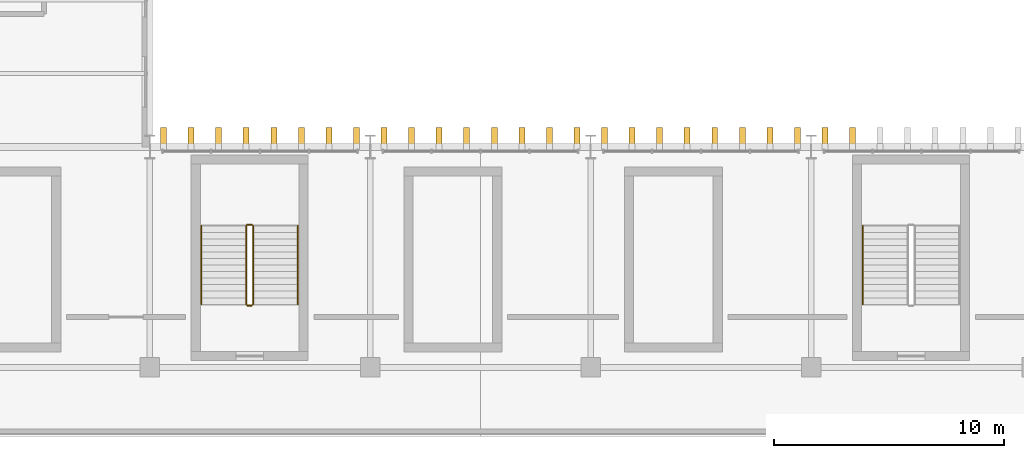
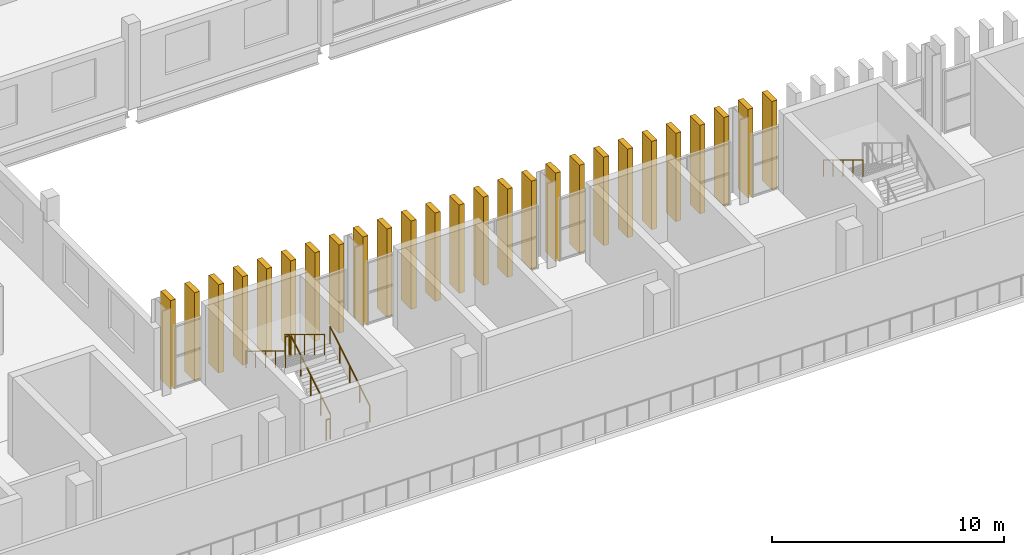
# One storey, part 82 of 92: 26 coverings, 7 railings.
"""IFC4 building model written with IfcOpenShell, lengths in metres."""

from ifc_helpers import new_model, si_unit, direction, frame, origin, origin_2d, place, context, subcontext, project, spatial, rectangle, circle, extrude, material, material_profile, profile_set, type_object, element, save


model = new_model("IFC4")

# Units and contexts
model_context = context("Model", 3, precision=1e-05, world=origin(), true_north=direction((0.0, 1.0)))
body_context = subcontext(model_context, "Body", "Model", "MODEL_VIEW")
ifc_project = project(units=[si_unit("LENGTHUNIT", "METRE"), si_unit("AREAUNIT", "SQUARE_METRE"), si_unit("VOLUMEUNIT", "CUBIC_METRE"), si_unit("PLANEANGLEUNIT", "RADIAN"), si_unit("MASSUNIT", "GRAM", prefix="KILO")], contexts=[model_context])

# Site, building, storey
site_placement = place(None, origin())
site = spatial("IfcSite", under=ifc_project, at=site_placement, CompositionType="ELEMENT")
building_placement = place(site_placement, origin())
building = spatial("IfcBuilding", under=site, at=building_placement, Name="Caelomonte Colonnade Arena", CompositionType="ELEMENT")
storey_placement = place(building_placement, frame((0.0, 0.0, 9.60009765625)))
storey = spatial("IfcBuildingStorey", under=building, at=storey_placement, Name="L02", CompositionType="ELEMENT", Elevation=9.60009765625)

# Coverings
ifc_material_1 = material(Name="Precast travertine cladding", Category="masonry")
ifc_material_profile = material_profile(ifc_material_1, rectangle(XDim=0.260009765625, YDim=0.85009765625, at=origin_2d()), Name="FIN260X850")
ifc_profile_set = profile_set([ifc_material_profile], Name="Precast travertine cladding")
covering_type = type_object("IfcCoveringType", Name="ENV-FN-SHAFT", PredefinedType="CLADDING", material=ifc_profile_set)
for number, where, z_axis, x_axis, name in (
    (1, (126.60009765625, 115.62109375, -0.16015625), (0.0, 0.0, 1.0), (1.0, 0.0, 0.0), "V1 L02 classical travertine vertical fin 106"),
    (2, (125.39990234375, 115.62109375, -0.16015625), (0.0, 0.0, 1.0), (1.0, 0.0, 0.0), "V1 L02 classical travertine vertical fin 107"),
    (3, (124.199951171875, 115.62109375, -0.16015625), (0.0, 0.0, 1.0), (1.0, 0.0, 0.0), "V1 L02 classical travertine vertical fin 108"),
    (4, (123.0, 115.62109375, -0.16015625), (0.0, 0.0, 1.0), (1.0, 0.0, 0.0), "V1 L02 classical travertine vertical fin 109"),
    (5, (121.800048828125, 115.62109375, -0.16015625), (0.0, 0.0, 1.0), (1.0, 0.0, 0.0), "V1 L02 classical travertine vertical fin 110"),
    (6, (120.60009765625, 115.62109375, -0.16015625), (0.0, 0.0, 1.0), (1.0, 0.0, 0.0), "V1 L02 classical travertine vertical fin 111"),
    (7, (119.39990234375, 115.62109375, -0.16015625), (0.0, 0.0, 1.0), (1.0, 0.0, 0.0), "V1 L02 classical travertine vertical fin 112"),
    (8, (118.199951171875, 115.62109375, -0.16015625), (0.0, 0.0, 1.0), (1.0, 0.0, 0.0), "V1 L02 classical travertine vertical fin 113"),
    (9, (117.0, 115.62109375, -0.16015625), (0.0, 0.0, 1.0), (1.0, 0.0, 0.0), "V1 L02 classical travertine vertical fin 114"),
    (10, (115.800048828125, 115.62109375, -0.16015625), (0.0, 0.0, 1.0), (1.0, 0.0, 0.0), "V1 L02 classical travertine vertical fin 115"),
    (11, (114.60009765625, 115.62109375, -0.16015625), (0.0, 0.0, 1.0), (1.0, 0.0, 0.0), "V1 L02 classical travertine vertical fin 116"),
    (12, (113.39990234375, 115.62109375, -0.16015625), (0.0, 0.0, 1.0), (1.0, 0.0, 0.0), "V1 L02 classical travertine vertical fin 117"),
    (13, (112.199951171875, 115.62109375, -0.16015625), (0.0, 0.0, 1.0), (1.0, 0.0, 0.0), "V1 L02 classical travertine vertical fin 118"),
    (14, (111.0, 115.62109375, -0.16015625), (0.0, 0.0, 1.0), (1.0, 0.0, 0.0), "V1 L02 classical travertine vertical fin 119"),
    (15, (109.800048828125, 115.62109375, -0.16015625), (0.0, 0.0, 1.0), (1.0, 0.0, 0.0), "V1 L02 classical travertine vertical fin 120"),
    (16, (108.60009765625, 115.62109375, -0.16015625), (0.0, 0.0, 1.0), (1.0, 0.0, 0.0), "V1 L02 classical travertine vertical fin 121"),
    (17, (107.39990234375, 115.62109375, -0.16015625), (0.0, 0.0, 1.0), (1.0, 0.0, 0.0), "V1 L02 classical travertine vertical fin 122"),
    (18, (106.199951171875, 115.62109375, -0.16015625), (0.0, 0.0, 1.0), (1.0, 0.0, 0.0), "V1 L02 classical travertine vertical fin 123"),
    (19, (105.0, 115.62109375, -0.16015625), (0.0, 0.0, 1.0), (1.0, 0.0, 0.0), "V1 L02 classical travertine vertical fin 124"),
    (20, (103.800048828125, 115.62109375, -0.16015625), (0.0, 0.0, 1.0), (1.0, 0.0, 0.0), "V1 L02 classical travertine vertical fin 125"),
    (21, (102.60009765625, 115.62109375, -0.16015625), (0.0, 0.0, 1.0), (1.0, 0.0, 0.0), "V1 L02 classical travertine vertical fin 126"),
    (22, (101.39990234375, 115.62109375, -0.16015625), (0.0, 0.0, 1.0), (1.0, 0.0, 0.0), "V1 L02 classical travertine vertical fin 127"),
    (23, (100.199951171875, 115.62109375, -0.16015625), (0.0, 0.0, 1.0), (1.0, 0.0, 0.0), "V1 L02 classical travertine vertical fin 128"),
    (24, (99.0, 115.62109375, -0.16015625), (0.0, 0.0, 1.0), (1.0, 0.0, 0.0), "V1 L02 classical travertine vertical fin 129"),
    (25, (97.800048828125, 115.62109375, -0.16015625), (0.0, 0.0, 1.0), (1.0, 0.0, 0.0), "V1 L02 classical travertine vertical fin 130"),
    (26, (96.60009765625, 115.62109375, -0.16015625), (0.0, 0.0, 1.0), (1.0, 0.0, 0.0), "V1 L02 classical travertine vertical fin 131"),
):
    element("IfcCovering", number, at=place(storey_placement, frame(where, z_axis=z_axis, x_axis=x_axis)), inside=storey, type_object=covering_type, Name=name, PredefinedType="CLADDING", context=body_context, shape_type="SweptSolid", body=[
        extrude(rectangle(XDim=0.260009765625, YDim=0.85009765625, at=origin_2d()), origin(), (0.0, 0.0, 1.0), 4.66015625),
    ])

# Railings
ifc_material_2 = material(Name="Painted galvanized steel stair guard", Category="steel")
railing_type_1 = type_object("IfcRailingType", Name="INT-RL-GRD", PredefinedType="GUARDRAIL", material=ifc_material_2)
railing_1_placement = place(storey_placement, frame((100.5, 108.35009765625, 0.173095703125)))
element("IfcRailing", 27, at=railing_1_placement, inside=storey, type_object=railing_type_1, Name="L02 ST-15 stair guard 1", PredefinedType="GUARDRAIL", context=body_context, shape_type="SweptSolid", body=[
    extrude(circle(Radius=0.02392578125, at=origin_2d()), frame((0.0, 0.0, 1.076171875), z_axis=(0.0, 0.854729506542, 0.519073665916), x_axis=(-1.0, 0.0, 0.0)), (0.0, 0.0, 1.0), 4.001220703125),
    extrude(circle(Radius=0.02099609375, at=origin_2d()), origin(), (0.0, 0.0, 1.0), 1.048095703125),
    extrude(circle(Radius=0.02099609375, at=origin_2d()), frame((0.0, 0.85498046875, 0.519287109375)), (0.0, 0.0, 1.0), 1.048095703125),
    extrude(circle(Radius=0.02099609375, at=origin_2d()), frame((0.0, 1.7099609375, 1.03857421875)), (0.0, 0.0, 1.0), 1.048095703125),
    extrude(circle(Radius=0.02099609375, at=origin_2d()), frame((0.0, 2.56494140625, 1.5576171875)), (0.0, 0.0, 1.0), 1.048095703125),
    extrude(circle(Radius=0.02099609375, at=origin_2d()), frame((0.0, 3.419921875, 2.076904296875)), (0.0, 0.0, 1.0), 1.048095703125),
])
railing_2_placement = place(storey_placement, frame((100.449951171875, 111.820068359375, 2.25)))
element("IfcRailing", 28, at=railing_2_placement, inside=storey, type_object=railing_type_1, Name="L02 ST-15 stair guard 2", PredefinedType="GUARDRAIL", context=body_context, shape_type="SweptSolid", body=[
    extrude(circle(Radius=0.02392578125, at=origin_2d()), frame((0.0, 0.0, 1.076171875), z_axis=(-1.0, 0.0, 0.0), x_axis=(0.0, -1.0, 0.0)), (0.0, 0.0, 1.0), 0.199951171875),
    extrude(circle(Radius=0.02099609375, at=origin_2d()), origin(), (0.0, 0.0, 1.0), 1.048095703125),
    extrude(circle(Radius=0.02099609375, at=origin_2d()), frame((-0.199951171875, 0.0, 0.0)), (0.0, 0.0, 1.0), 1.048095703125),
])
railing_3_placement = place(storey_placement, frame((100.199951171875, 111.77001953125, 2.423095703125)))
element("IfcRailing", 29, at=railing_3_placement, inside=storey, type_object=railing_type_1, Name="L02 ST-15 stair guard 3", PredefinedType="GUARDRAIL", context=body_context, shape_type="SweptSolid", body=[
    extrude(circle(Radius=0.02392578125, at=origin_2d()), frame((0.0, 0.0, 1.076171875), z_axis=(0.0, -0.854729506542, 0.519073665916), x_axis=(1.0, 0.0, 0.0)), (0.0, 0.0, 1.0), 4.001220703125),
    extrude(circle(Radius=0.02099609375, at=origin_2d()), origin(), (0.0, 0.0, 1.0), 1.048095703125),
    extrude(circle(Radius=0.02099609375, at=origin_2d()), frame((0.0, -0.85498046875, 0.519287109375)), (0.0, 0.0, 1.0), 1.048095703125),
    extrude(circle(Radius=0.02099609375, at=origin_2d()), frame((0.0, -1.7099609375, 1.03857421875)), (0.0, 0.0, 1.0), 1.048095703125),
    extrude(circle(Radius=0.02099609375, at=origin_2d()), frame((0.0, -2.56494140625, 1.5576171875)), (0.0, 0.0, 1.0), 1.048095703125),
    extrude(circle(Radius=0.02099609375, at=origin_2d()), frame((0.0, -3.419921875, 2.076904296875)), (0.0, 0.0, 1.0), 1.048095703125),
])
railing_4_placement = place(storey_placement, frame((100.449951171875, 108.300048828125, 0.0)))
element("IfcRailing", 30, at=railing_4_placement, inside=storey, type_object=railing_type_1, Name="L02 ST-15 stair guard 4", PredefinedType="GUARDRAIL", context=body_context, shape_type="SweptSolid", body=[
    extrude(circle(Radius=0.02392578125, at=origin_2d()), frame((0.0, 0.0, 1.076171875), z_axis=(-1.0, 0.0, 0.0), x_axis=(0.0, -1.0, 0.0)), (0.0, 0.0, 1.0), 0.199951171875),
    extrude(circle(Radius=0.02099609375, at=origin_2d()), origin(), (0.0, 0.0, 1.0), 1.048095703125),
    extrude(circle(Radius=0.02099609375, at=origin_2d()), frame((-0.199951171875, 0.0, 0.0)), (0.0, 0.0, 1.0), 1.048095703125),
])
ifc_material_3 = material(Name="Brushed stainless steel stair handrail", Category="steel")
railing_type_2 = type_object("IfcRailingType", Name="INT-RL-HR", PredefinedType="HANDRAIL", material=ifc_material_3)
railing_5_placement = place(storey_placement, frame((102.449951171875, 108.35009765625, 0.173095703125)))
element("IfcRailing", 31, at=railing_5_placement, inside=storey, type_object=railing_type_2, Name="L02 ST-15 stair handrail 1", PredefinedType="HANDRAIL", context=body_context, shape_type="SweptSolid", body=[
    extrude(circle(Radius=0.02392578125, at=origin_2d()), frame((0.0, 0.0, 0.8759765625), z_axis=(0.0, 0.854729506542, 0.519073665916), x_axis=(-1.0, 0.0, 0.0)), (0.0, 0.0, 1.0), 4.001220703125),
    extrude(circle(Radius=0.02099609375, at=origin_2d()), origin(), (0.0, 0.0, 1.0), 0.847900390625),
    extrude(circle(Radius=0.02099609375, at=origin_2d()), frame((0.0, 0.85498046875, 0.519287109375)), (0.0, 0.0, 1.0), 0.847900390625),
    extrude(circle(Radius=0.02099609375, at=origin_2d()), frame((0.0, 1.7099609375, 1.03857421875)), (0.0, 0.0, 1.0), 0.847900390625),
    extrude(circle(Radius=0.02099609375, at=origin_2d()), frame((0.0, 2.56494140625, 1.5576171875)), (0.0, 0.0, 1.0), 0.847900390625),
    extrude(circle(Radius=0.02099609375, at=origin_2d()), frame((0.0, 3.419921875, 2.076904296875)), (0.0, 0.0, 1.0), 0.847900390625),
])
for number, where, name in (
    (32, (98.25, 111.77001953125, 2.423095703125), "L02 ST-15 stair handrail 2"),
    (33, (127.050048828125, 111.77001953125, 2.423095703125), "L02 ST-16 stair handrail 2"),
):
    element("IfcRailing", number, at=place(storey_placement, frame(where)), inside=storey, type_object=railing_type_2, Name=name, PredefinedType="HANDRAIL", context=body_context, shape_type="SweptSolid", body=[
        extrude(circle(Radius=0.02392578125, at=origin_2d()), frame((0.0, 0.0, 0.8759765625), z_axis=(0.0, -0.854729506542, 0.519073665916), x_axis=(1.0, 0.0, 0.0)), (0.0, 0.0, 1.0), 4.001220703125),
        extrude(circle(Radius=0.02099609375, at=origin_2d()), origin(), (0.0, 0.0, 1.0), 0.847900390625),
        extrude(circle(Radius=0.02099609375, at=origin_2d()), frame((0.0, -0.85498046875, 0.519287109375)), (0.0, 0.0, 1.0), 0.847900390625),
        extrude(circle(Radius=0.02099609375, at=origin_2d()), frame((0.0, -1.7099609375, 1.03857421875)), (0.0, 0.0, 1.0), 0.847900390625),
        extrude(circle(Radius=0.02099609375, at=origin_2d()), frame((0.0, -2.56494140625, 1.5576171875)), (0.0, 0.0, 1.0), 0.847900390625),
        extrude(circle(Radius=0.02099609375, at=origin_2d()), frame((0.0, -3.419921875, 2.076904296875)), (0.0, 0.0, 1.0), 0.847900390625),
    ])

save(model, "model.ifc")
